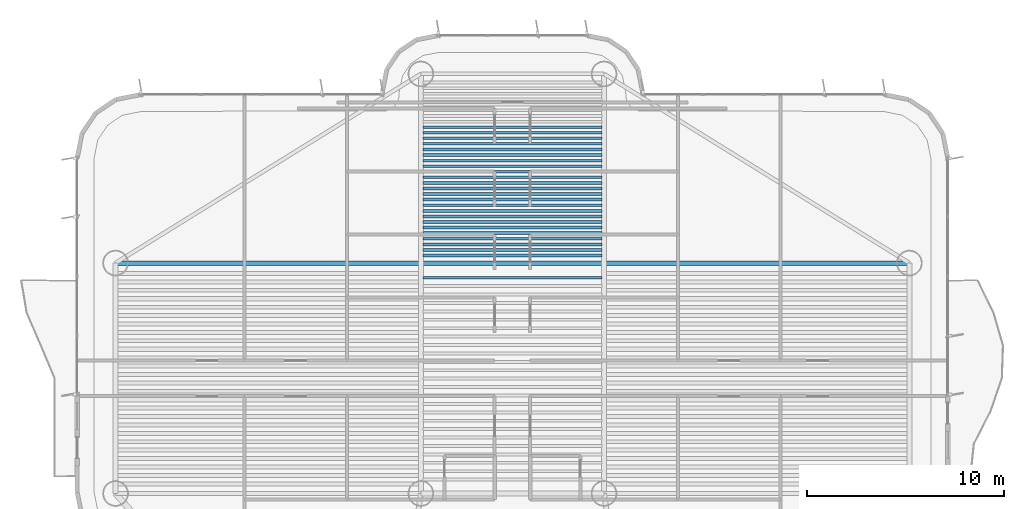
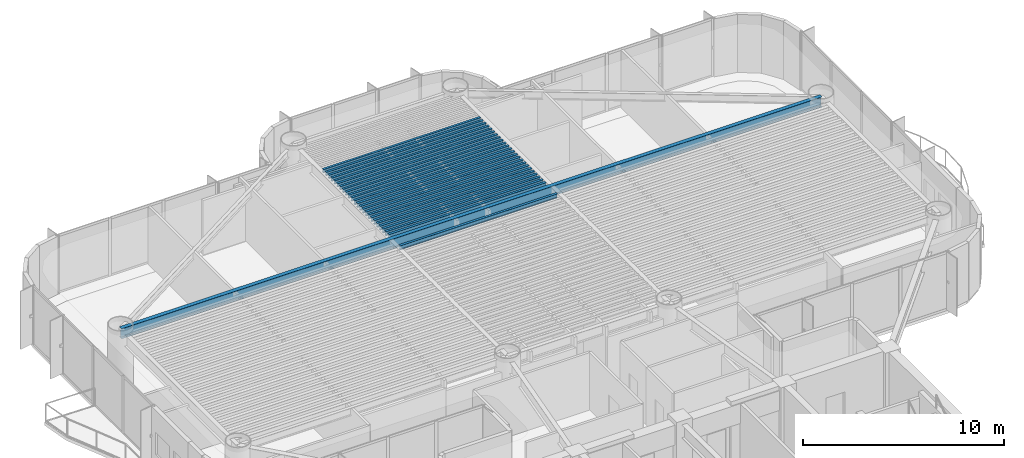
# One storey, part 6 of 16: 26 beams.
"""IFC4 building model written with IfcOpenShell, lengths in metres."""

from ifc_helpers import new_model, si_unit, direction, frame, origin, origin_2d, place, context, subcontext, project, spatial, i_section, extrude, source, transform, mapped, material, material_profile, profile_set, type_object, element, save


model = new_model("IFC4")

# Units and contexts
model_context = context("Model", 3, precision=1e-05, world=origin(), true_north=direction((0.0, 1.0)))
body_context = subcontext(model_context, "Body", "Model", "MODEL_VIEW")
ifc_project = project(units=[si_unit("LENGTHUNIT", "METRE"), si_unit("AREAUNIT", "SQUARE_METRE"), si_unit("VOLUMEUNIT", "CUBIC_METRE"), si_unit("PLANEANGLEUNIT", "RADIAN"), si_unit("MASSUNIT", "GRAM", prefix="KILO")], contexts=[model_context])

# Site, building, storey
site_placement = place(None, origin())
site = spatial("IfcSite", under=ifc_project, at=site_placement, CompositionType="ELEMENT")
building_placement = place(site_placement, origin())
building = spatial("IfcBuilding", under=site, at=building_placement, Name="Brelvock Crest Care Tower", CompositionType="ELEMENT")
storey_placement = place(building_placement, frame((0.0, 0.0, 104.93994140625)))
storey = spatial("IfcBuildingStorey", under=building, at=storey_placement, Name="L26", CompositionType="ELEMENT", Elevation=104.93994140625)

# Beams
ifc_material = material(Name="Steel Grade 350", Category="steel")
ifc_material_profile_1 = material_profile(ifc_material, i_section(OverallWidth=0.14599609375, OverallDepth=0.256103515625, WebThickness=0.00634765625, FlangeThickness=0.010986328125, FilletRadius=0.0087890625, at=origin_2d()), Name="250UB37.3")
ifc_profile_set_1 = profile_set([ifc_material_profile_1], Name="Steel Grade 350")
beam_type_1 = type_object("IfcBeamType", Name="BM-J3", PredefinedType="JOIST", material=ifc_profile_set_1)
shared_shape_1 = source(origin(), body_context, "Body", "SweptSolid", [
    extrude(i_section(OverallWidth=0.14599609375, OverallDepth=0.256103515625, WebThickness=0.00634765625, FlangeThickness=0.010986328125, FilletRadius=0.0087890625, at=origin_2d()), origin(), (0.0, 0.0, 1.0), 9.06982421875),
])
for number, where, z_axis, x_axis, name in (
    (1, (31.465087890625, 38.10400390625, 3.402099609375), (1.0, 0.0, 0.0), (0.0, 1.0, 0.0), "BM-JH-L26-25"),
    (2, (31.465087890625, 39.23388671875, 3.402099609375), (1.0, 0.0, 0.0), (0.0, 1.0, 0.0), "BM-JN-L26-1"),
    (3, (31.465087890625, 39.51708984375, 3.402099609375), (1.0, 0.0, 0.0), (0.0, 1.0, 0.0), "BM-JN-L26-2"),
    (4, (31.465087890625, 39.80029296875, 3.402099609375), (1.0, 0.0, 0.0), (0.0, 1.0, 0.0), "BM-JN-L26-3"),
    (5, (31.465087890625, 40.08349609375, 3.402099609375), (1.0, 0.0, 0.0), (0.0, 1.0, 0.0), "BM-JN-L26-4"),
    (6, (31.465087890625, 40.36669921875, 3.402099609375), (1.0, 0.0, 0.0), (0.0, 1.0, 0.0), "BM-JN-L26-5"),
    (7, (31.465087890625, 40.64990234375, 3.402099609375), (1.0, 0.0, 0.0), (0.0, 1.0, 0.0), "BM-JN-L26-6"),
    (8, (31.465087890625, 40.93310546875, 3.402099609375), (1.0, 0.0, 0.0), (0.0, 1.0, 0.0), "BM-JN-L26-7"),
    (9, (31.465087890625, 41.21630859375, 3.402099609375), (1.0, 0.0, 0.0), (0.0, 1.0, 0.0), "BM-JN-L26-8"),
    (10, (31.465087890625, 41.49951171875, 3.402099609375), (1.0, 0.0, 0.0), (0.0, 1.0, 0.0), "BM-JN-L26-9"),
    (11, (31.465087890625, 41.78271484375, 3.402099609375), (1.0, 0.0, 0.0), (0.0, 1.0, 0.0), "BM-JN-L26-10"),
    (12, (31.465087890625, 42.06591796875, 3.402099609375), (1.0, 0.0, 0.0), (0.0, 1.0, 0.0), "BM-JN-L26-11"),
    (13, (31.465087890625, 42.34912109375, 3.402099609375), (1.0, 0.0, 0.0), (0.0, 1.0, 0.0), "BM-JN-L26-12"),
    (14, (31.465087890625, 42.63232421875, 3.402099609375), (1.0, 0.0, 0.0), (0.0, 1.0, 0.0), "BM-JN-L26-13"),
):
    element("IfcBeam", number, at=place(storey_placement, frame(where, z_axis=z_axis, x_axis=x_axis)), inside=storey, type_object=beam_type_1, Name=name, PredefinedType="JOIST", context=body_context, shape_type="MappedRepresentation", body=[
        mapped(shared_shape_1, transform((0.0, 0.0, 0.0), x_axis=(1.0, 0.0, 0.0), y_axis=(0.0, 1.0, 0.0), z_axis=(0.0, 0.0, 1.0), scale=1.0)),
    ])
ifc_material_profile_2 = material_profile(ifc_material, i_section(OverallWidth=0.134033203125, OverallDepth=0.20703125, WebThickness=0.00634765625, FlangeThickness=0.009521484375, FilletRadius=0.0087890625, at=origin_2d()), Name="200UB29.8")
ifc_profile_set_2 = profile_set([ifc_material_profile_2], Name="Steel Grade 350")
beam_type_2 = type_object("IfcBeamType", Name="BM-J4", PredefinedType="JOIST", material=ifc_profile_set_2)
shared_shape_2 = source(origin(), body_context, "Body", "SweptSolid", [
    extrude(i_section(OverallWidth=0.134033203125, OverallDepth=0.20703125, WebThickness=0.00634765625, FlangeThickness=0.009521484375, FilletRadius=0.0087890625, at=origin_2d()), origin(), (0.0, 0.0, 1.0), 9.06982421875),
])
for number, where, z_axis, x_axis, name in (
    (15, (31.465087890625, 42.91552734375, 3.426513671875), (1.0, 0.0, 0.0), (0.0, 1.0, 0.0), "BM-JN-L26-14"),
    (16, (31.465087890625, 43.19873046875, 3.426513671875), (1.0, 0.0, 0.0), (0.0, 1.0, 0.0), "BM-JN-L26-15"),
    (17, (31.465087890625, 43.48193359375, 3.426513671875), (1.0, 0.0, 0.0), (0.0, 1.0, 0.0), "BM-JN-L26-16"),
    (18, (31.465087890625, 43.76513671875, 3.426513671875), (1.0, 0.0, 0.0), (0.0, 1.0, 0.0), "BM-JN-L26-17"),
    (19, (31.465087890625, 44.04833984375, 3.426513671875), (1.0, 0.0, 0.0), (0.0, 1.0, 0.0), "BM-JN-L26-18"),
    (20, (31.465087890625, 44.33154296875, 3.426513671875), (1.0, 0.0, 0.0), (0.0, 1.0, 0.0), "BM-JN-L26-19"),
    (21, (31.465087890625, 44.61474609375, 3.426513671875), (1.0, 0.0, 0.0), (0.0, 1.0, 0.0), "BM-JN-L26-20"),
    (22, (31.465087890625, 44.89794921875, 3.426513671875), (1.0, 0.0, 0.0), (0.0, 1.0, 0.0), "BM-JN-L26-21"),
    (23, (31.465087890625, 45.18115234375, 3.426513671875), (1.0, 0.0, 0.0), (0.0, 1.0, 0.0), "BM-JN-L26-22"),
    (24, (31.465087890625, 45.46435546875, 3.426513671875), (1.0, 0.0, 0.0), (0.0, 1.0, 0.0), "BM-JN-L26-23"),
    (25, (31.465087890625, 45.74755859375, 3.426513671875), (1.0, 0.0, 0.0), (0.0, 1.0, 0.0), "BM-JN-L26-24"),
):
    element("IfcBeam", number, at=place(storey_placement, frame(where, z_axis=z_axis, x_axis=x_axis)), inside=storey, type_object=beam_type_2, Name=name, PredefinedType="JOIST", context=body_context, shape_type="MappedRepresentation", body=[
        mapped(shared_shape_2, transform((0.0, 0.0, 0.0), x_axis=(1.0, 0.0, 0.0), y_axis=(0.0, 1.0, 0.0), z_axis=(0.0, 0.0, 1.0), scale=1.0)),
    ])
ifc_material_profile_3 = material_profile(ifc_material, i_section(OverallWidth=0.22900390625, OverallDepth=0.612060546875, WebThickness=0.011962890625, FlangeThickness=0.01953125, FilletRadius=0.013916015625, at=origin_2d()), Name="610UB125")
ifc_profile_set_3 = profile_set([ifc_material_profile_3], Name="Steel Grade 350")
beam_type_3 = type_object("IfcBeamType", Name="BM-G1", PredefinedType="BEAM", material=ifc_profile_set_3)
shared_shape_3 = source(origin(), body_context, "Body", "SweptSolid", [
    extrude(i_section(OverallWidth=0.22900390625, OverallDepth=0.612060546875, WebThickness=0.011962890625, FlangeThickness=0.01953125, FilletRadius=0.013916015625, at=origin_2d()), origin(), (0.0, 0.0, 1.0), 40.2998046875),
])
beam_placement = place(storey_placement, frame((15.85009765625, 38.85009765625, 3.22412109375), z_axis=(1.0, 0.0, 0.0), x_axis=(0.0, 1.0, 0.0)))
element("IfcBeam", 26, at=beam_placement, inside=storey, type_object=beam_type_3, Name="BM-TWR-L26-11", PredefinedType="BEAM", context=body_context, shape_type="MappedRepresentation", body=[
    mapped(shared_shape_3, transform((0.0, 0.0, 0.0), x_axis=(1.0, 0.0, 0.0), y_axis=(0.0, 1.0, 0.0), z_axis=(0.0, 0.0, 1.0), scale=1.0)),
])

save(model, "model.ifc")
